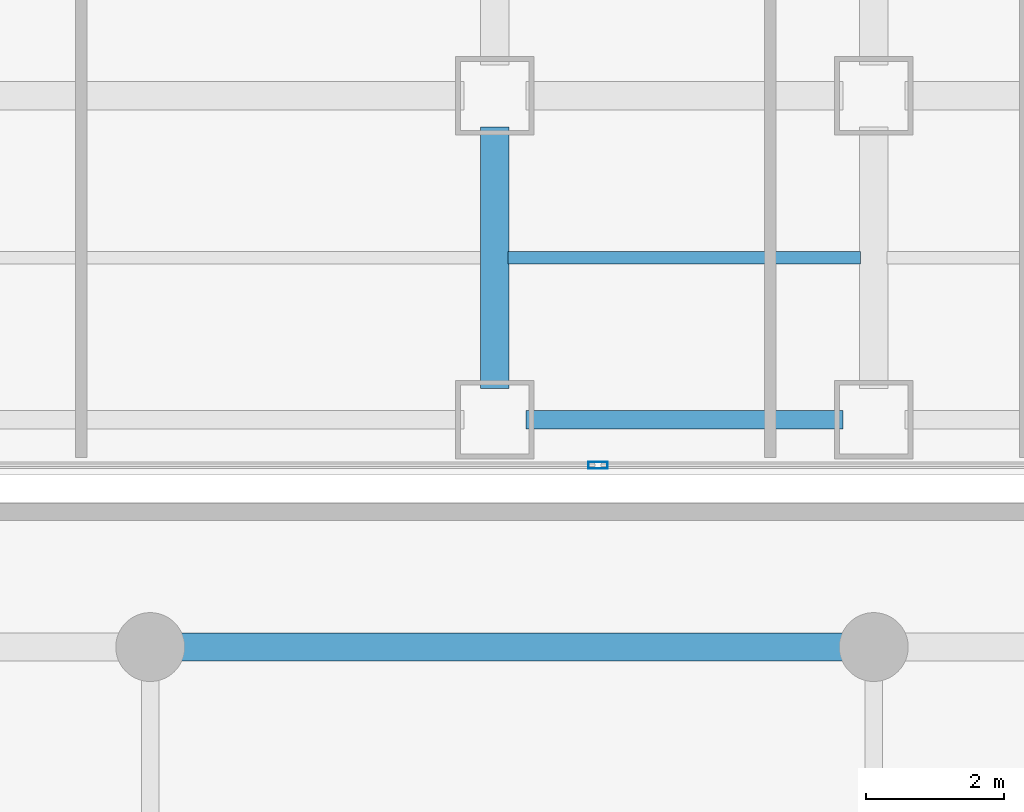
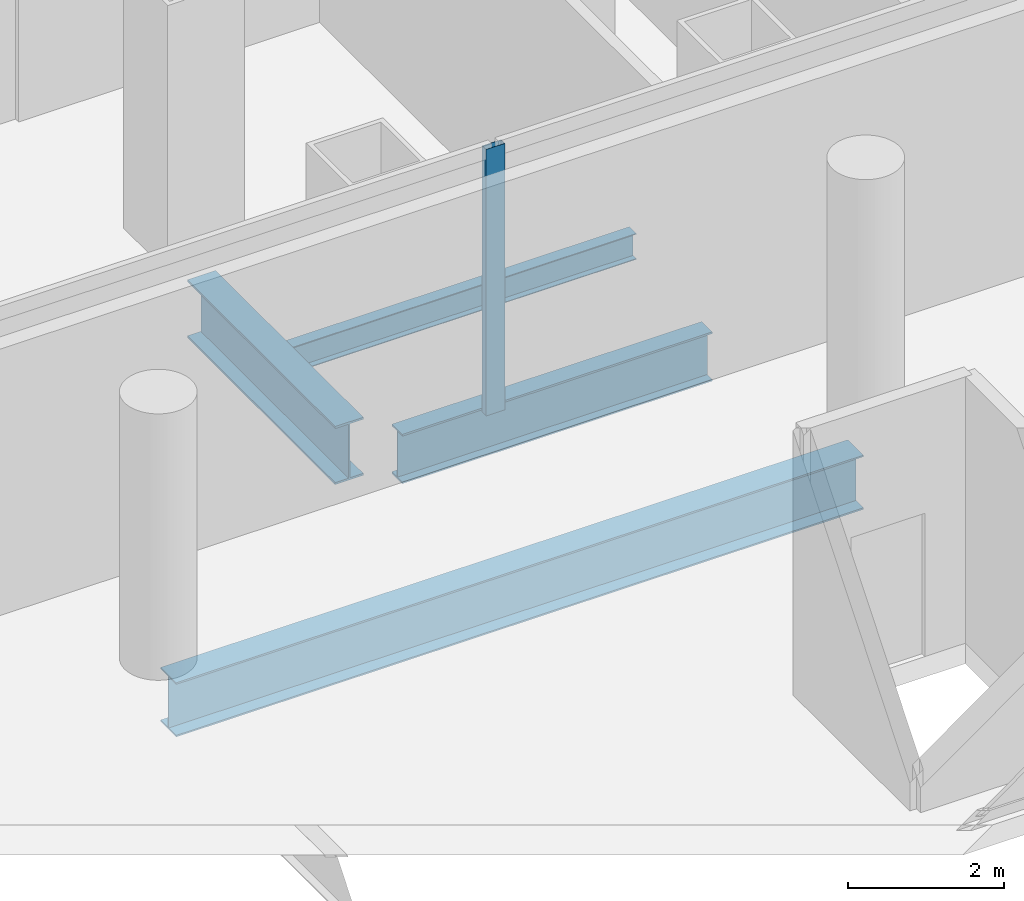
# One storey, part 8 of 26: 4 beams, 1 member, 1 element without a shape of its own.
"""IFC4 building model written with IfcOpenShell, lengths in metres."""

from ifc_helpers import new_model, si_unit, direction, frame, origin, origin_2d, place, context, subcontext, project, spatial, hollow_rectangle, i_section, extrude, source, transform, mapped, material, layer, layer_set, material_profile, profile_set, type_object, element, aggregate, save


model = new_model("IFC4")

# Units and contexts
model_context = context("Model", 3, precision=1e-05, world=origin(), true_north=direction((0.0, 1.0)))
body_context = subcontext(model_context, "Body", "Model", "MODEL_VIEW")
ifc_project = project(units=[si_unit("LENGTHUNIT", "METRE"), si_unit("AREAUNIT", "SQUARE_METRE"), si_unit("VOLUMEUNIT", "CUBIC_METRE"), si_unit("PLANEANGLEUNIT", "RADIAN"), si_unit("MASSUNIT", "GRAM", prefix="KILO")], contexts=[model_context])

# Site, building, storey
site_placement = place(None, origin())
site = spatial("IfcSite", under=ifc_project, at=site_placement, CompositionType="ELEMENT")
building_placement = place(site_placement, origin())
building = spatial("IfcBuilding", under=site, at=building_placement, Name="Kolveth Station Tower", CompositionType="ELEMENT")
storey_placement = place(building_placement, frame((0.0, 0.0, 9.0)))
storey = spatial("IfcBuildingStorey", under=building, at=storey_placement, Name="L02", CompositionType="ELEMENT", Elevation=9.0)

# Beams
ifc_material_1 = material(Name="Steel S355", Category="steel")
ifc_material_profile_1 = material_profile(ifc_material_1, i_section(OverallWidth=0.26904296875, OverallDepth=0.77490234375, WebThickness=0.01708984375, FlangeThickness=0.0283203125, at=origin_2d()), Name="W760x220")
ifc_profile_set_1 = profile_set([ifc_material_profile_1], Name="Steel S355")
beam_type_1 = type_object("IfcBeamType", Name="Beam_SP1", PredefinedType="SPANDREL", material=ifc_profile_set_1)
shared_shape_1 = source(origin(), body_context, "Body", "SweptSolid", [
    extrude(i_section(OverallWidth=0.26904296875, OverallDepth=0.77490234375, WebThickness=0.01708984375, FlangeThickness=0.0283203125, at=origin_2d()), origin(), (0.0, 0.0, 1.0), 4.60009765625),
])
beam_1_placement = place(storey_placement, frame((28.949951171875, 0.800048828125, -0.70751953125), z_axis=(1.0, 0.0, 0.0), x_axis=(0.0, 1.0, 0.0)))
element("IfcBeam", 1, at=beam_1_placement, inside=storey, type_object=beam_type_1, Name="L02 Perimeter Spandrel BM-L02-PS-4", PredefinedType="SPANDREL", context=body_context, shape_type="MappedRepresentation", body=[
    mapped(shared_shape_1, transform((0.0, 0.0, 0.0), x_axis=(1.0, 0.0, 0.0), y_axis=(0.0, 1.0, 0.0), z_axis=(0.0, 0.0, 1.0), scale=1.0)),
])
ifc_material_profile_2 = material_profile(ifc_material_1, i_section(OverallWidth=0.41796875, OverallDepth=0.912109375, WebThickness=0.019287109375, FlangeThickness=0.031982421875, at=origin_2d()), Name="W920x342")
ifc_profile_set_2 = profile_set([ifc_material_profile_2], Name="Steel S355")
beam_type_2 = type_object("IfcBeamType", Name="Beam_B1", PredefinedType="BEAM", material=ifc_profile_set_2)
shared_shape_2 = source(origin(), body_context, "Body", "SweptSolid", [
    extrude(i_section(OverallWidth=0.41796875, OverallDepth=0.912109375, WebThickness=0.019287109375, FlangeThickness=0.031982421875, at=origin_2d()), origin(), (0.0, 0.0, 1.0), 3.800048828125),
])
beam_2_placement = place(storey_placement, frame((28.5, 1.25, -0.77587890625), z_axis=(0.0, 1.0, 0.0), x_axis=(-1.0, 0.0, 0.0)))
element("IfcBeam", 2, at=beam_2_placement, inside=storey, type_object=beam_type_2, Name="L02 Primary Girder BM-L02-GX285-1", PredefinedType="BEAM", context=body_context, shape_type="MappedRepresentation", body=[
    mapped(shared_shape_2, transform((0.0, 0.0, 0.0), x_axis=(1.0, 0.0, 0.0), y_axis=(0.0, 1.0, 0.0), z_axis=(0.0, 0.0, 1.0), scale=1.0)),
])
ifc_material_profile_3 = material_profile(ifc_material_1, i_section(OverallWidth=0.177978515625, OverallDepth=0.406982421875, WebThickness=0.0078125, FlangeThickness=0.0126953125, at=origin_2d()), Name="W410x60")
ifc_profile_set_3 = profile_set([ifc_material_profile_3], Name="Steel S355")
beam_type_3 = type_object("IfcBeamType", Name="Beam_J1", PredefinedType="JOIST", material=ifc_profile_set_3)
shared_shape_3 = source(origin(), body_context, "Body", "SweptSolid", [
    extrude(i_section(OverallWidth=0.177978515625, OverallDepth=0.406982421875, WebThickness=0.0078125, FlangeThickness=0.0126953125, at=origin_2d()), origin(), (0.0, 0.0, 1.0), 5.10986328125),
])
beam_3_placement = place(storey_placement, frame((28.695068359375, 3.14990234375, -0.5234375), z_axis=(1.0, 0.0, 0.0), x_axis=(0.0, 1.0, 0.0)))
element("IfcBeam", 3, at=beam_3_placement, inside=storey, type_object=beam_type_3, Name="L02 Secondary Joist JST-L02-5-1", PredefinedType="JOIST", context=body_context, shape_type="MappedRepresentation", body=[
    mapped(shared_shape_3, transform((0.0, 0.0, 0.0), x_axis=(1.0, 0.0, 0.0), y_axis=(0.0, 1.0, 0.0), z_axis=(0.0, 0.0, 1.0), scale=1.0)),
])
ifc_material_profile_4 = material_profile(ifc_material_1, i_section(OverallWidth=0.40087890625, OverallDepth=0.85107421875, WebThickness=0.01611328125, FlangeThickness=0.025390625, at=origin_2d()), Name="W840x226")
ifc_profile_set_4 = profile_set([ifc_material_profile_4], Name="Steel S355")
beam_type_4 = type_object("IfcBeamType", Name="Beam_B2", PredefinedType="BEAM", material=ifc_profile_set_4)
shared_shape_4 = source(origin(), body_context, "Body", "SweptSolid", [
    extrude(i_section(OverallWidth=0.40087890625, OverallDepth=0.85107421875, WebThickness=0.01611328125, FlangeThickness=0.025390625, at=origin_2d()), origin(), (0.0, 0.0, 1.0), 10.2001953125),
])
beam_4_placement = place(storey_placement, frame((23.64990234375, -2.5, -0.74560546875), z_axis=(1.0, 0.0, 0.0), x_axis=(0.0, 1.0, 0.0)))
element("IfcBeam", 4, at=beam_4_placement, inside=storey, type_object=beam_type_4, Name="L02 Station Concourse Girder SBM-L02-SL2-3", PredefinedType="BEAM", context=body_context, shape_type="MappedRepresentation", body=[
    mapped(shared_shape_4, transform((0.0, 0.0, 0.0), x_axis=(1.0, 0.0, 0.0), y_axis=(0.0, 1.0, 0.0), z_axis=(0.0, 0.0, 1.0), scale=1.0)),
])

# Curtain wall, member
ifc_material_2 = material(Name="Black anodized aluminium 6063-T6 and clear station glass", Category="aluminium")
ifc_layer = layer(ifc_material_2, 0.239990234375)
ifc_layer_set = layer_set([ifc_layer], Name="Black anodized aluminium 6063-T6 and clear station glass")
curtain_wall_type = type_object("IfcCurtainWallType", Name="CurtainWall_CW-ST", PredefinedType="NOTDEFINED", material=ifc_layer_set)
curtain_wall_placement = place(storey_placement, origin())
curtain_wall = element("IfcCurtainWall", 5, at=curtain_wall_placement, inside=storey, type_object=curtain_wall_type, Name="L02 Tower Podium South Storefront Curtain Wall", PredefinedType="NOTDEFINED")
ifc_material_3 = material(Name="Black anodized aluminium 6063-T6", Category="aluminium")
ifc_material_profile_5 = material_profile(ifc_material_3, hollow_rectangle(XDim=0.10009765625, YDim=0.280029296875, WallThickness=0.0048828125, at=origin_2d()), Name="ALU-100x280x5")
ifc_profile_set_5 = profile_set([ifc_material_profile_5], Name="Black anodized aluminium 6063-T6")
member_type = type_object("IfcMemberType", Name="Mullion_ML-ST", PredefinedType="MULLION", material=ifc_profile_set_5)
shared_shape_5 = source(origin(), body_context, "Body", "SweptSolid", [
    extrude(hollow_rectangle(XDim=0.10009765625, YDim=0.280029296875, WallThickness=0.0048828125, at=origin_2d()), origin(), (0.0, 0.0, 1.0), 4.179931640625),
])
member_placement = place(storey_placement, frame((30.0, 0.139892578125, 0.0), z_axis=(0.0, 0.0, 1.0), x_axis=(0.0, 1.0, 0.0)))
member = element("IfcMember", 6, at=member_placement, type_object=member_type, Name="CW-ST mullion 3", PredefinedType="MULLION", context=body_context, shape_type="MappedRepresentation", body=[
    mapped(shared_shape_5, transform((0.0, 0.0, 0.0), x_axis=(1.0, 0.0, 0.0), y_axis=(0.0, 1.0, 0.0), z_axis=(0.0, 0.0, 1.0), scale=1.0)),
])
aggregate(curtain_wall, [member])

save(model, "model.ifc")
